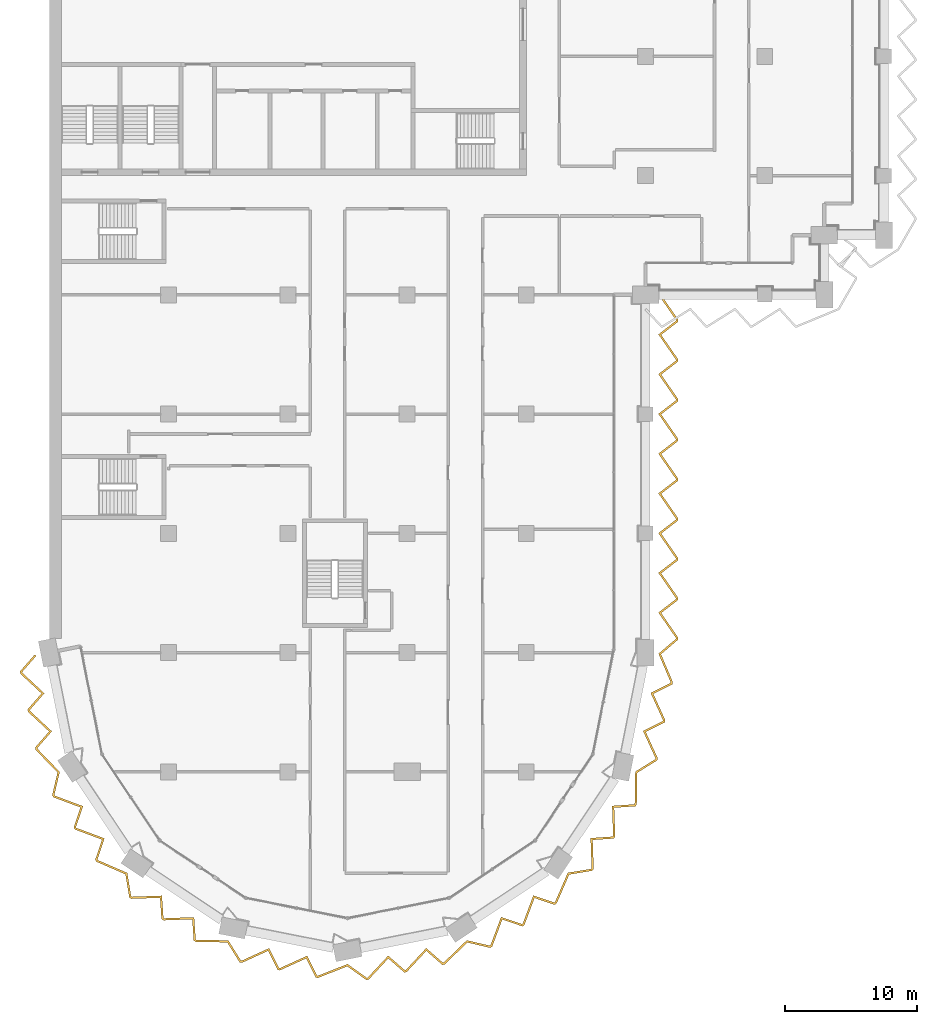
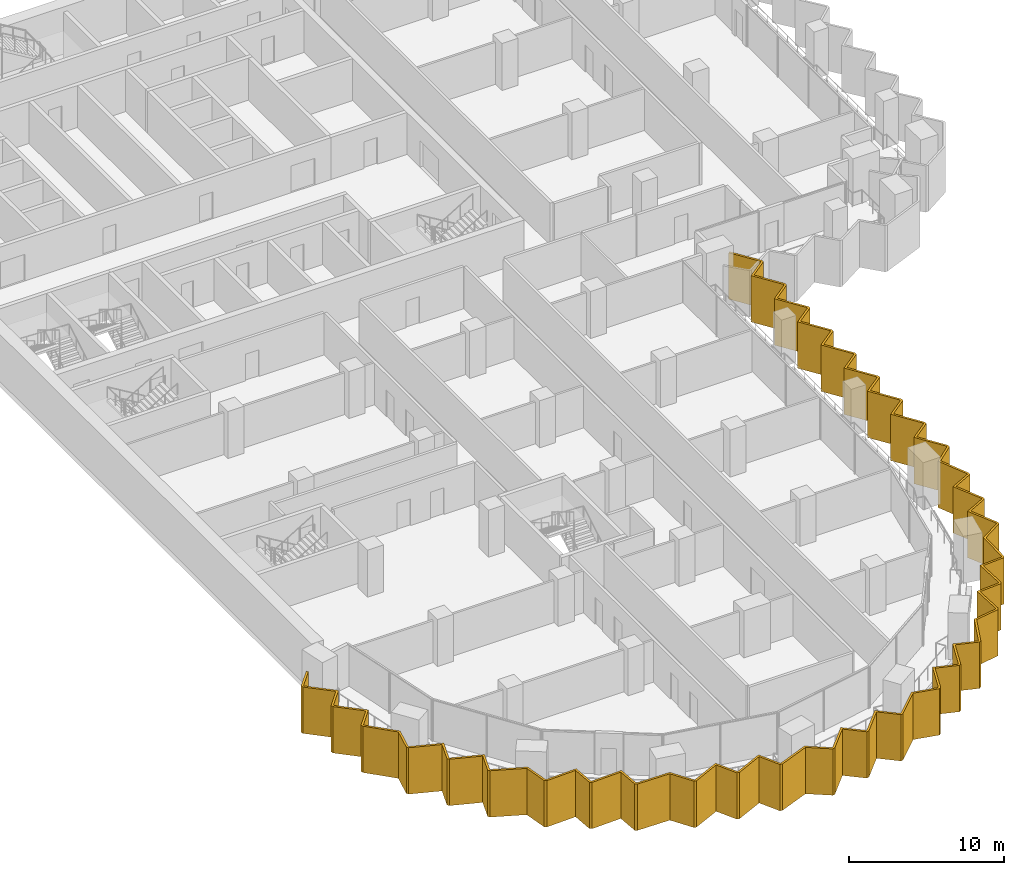
# One storey, part 19 of 23: 1 shading device.
"""IFC4 building model written with IfcOpenShell, lengths in metres."""

from ifc_helpers import new_model, si_unit, direction, frame, origin, place, context, subcontext, project, spatial, polyline, outline, extrude, material, layer, layer_set, type_object, element, save


model = new_model("IFC4")

# Units and contexts
model_context = context("Model", 3, precision=1e-05, world=origin(), true_north=direction((0.0, 1.0)))
body_context = subcontext(model_context, "Body", "Model", "MODEL_VIEW")
ifc_project = project(units=[si_unit("LENGTHUNIT", "METRE"), si_unit("AREAUNIT", "SQUARE_METRE"), si_unit("VOLUMEUNIT", "CUBIC_METRE"), si_unit("PLANEANGLEUNIT", "RADIAN"), si_unit("MASSUNIT", "GRAM", prefix="KILO")], contexts=[model_context])

# Site, building, storey
site_placement = place(None, origin())
site = spatial("IfcSite", under=ifc_project, at=site_placement, CompositionType="ELEMENT")
building_placement = place(site_placement, origin())
building = spatial("IfcBuilding", under=site, at=building_placement, Name="Hunhe Ridgeline Campus", CompositionType="ELEMENT")
storey_placement = place(building_placement, frame((0.0, 0.0, 144.89990234375)))
storey = spatial("IfcBuildingStorey", under=building, at=storey_placement, Name="L36", CompositionType="ELEMENT", Elevation=144.89990234375)

# Shading device
ifc_material = material(Name="Concrete C50", Category="concrete")
ifc_layer = layer(ifc_material, 0.14990234375)
ifc_layer_set = layer_set([ifc_layer], Name="Sawtooth concrete fin 150 Concrete C50")
shading_device_type = type_object("IfcShadingDeviceType", Name="Sawtooth concrete fin 150 Concrete C50", PredefinedType="USERDEFINED", material=ifc_layer_set)
shading_device_placement = place(storey_placement, frame((0.0, 0.0, -0.949951171875)))
element("IfcShadingDevice", 1, at=shading_device_placement, inside=storey, type_object=shading_device_type, Name="Concrete fin screen 1", ObjectType="FIN", PredefinedType="USERDEFINED", context=body_context, shape_type="SweptSolid", body=[
    extrude(outline(polyline([(-0.997802734375, 26.740966796875), (-1.11083984375, 26.839599609375), (-2.214599609375, 25.575439453125), (-2.17919921875, 25.397705078125), (-0.587646484375, 23.914794921875), (-1.643798828125, 22.705322265625), (-1.6083984375, 22.527587890625), (-0.016845703125, 21.044677734375), (-1.07275390625, 19.835205078125), (-1.037841796875, 19.65966796875), (0.61767578125, 17.947509765625), (0.214111328125, 16.222412109375), (0.3125, 16.075439453125), (2.350341796875, 15.314453125), (1.837646484375, 13.792724609375), (1.938232421875, 13.642333984375), (3.976318359375, 12.881103515625), (3.46337890625, 11.359619140625), (3.562744140625, 11.2109375), (5.747802734375, 10.262451171875), (6.03515625, 8.514404296875), (6.18212890625, 8.416259765625), (8.356201171875, 8.492919921875), (8.464599609375, 6.890869140625), (8.615234375, 6.790283203125), (10.789306640625, 6.8671875), (10.897705078125, 5.26513671875), (11.046630859375, 5.165771484375), (13.427978515625, 5.125732421875), (14.362548828125, 3.62060546875), (14.535888671875, 3.586181640625), (16.51513671875, 4.489013671875), (17.228271484375, 3.050537109375), (17.406005859375, 3.015380859375), (19.38525390625, 3.918212890625), (20.0986328125, 2.479736328125), (20.27392578125, 2.44482421875), (22.489501953125, 3.319091796875), (23.928955078125, 2.2861328125), (24.102294921875, 2.32080078125), (25.585205078125, 3.912353515625), (26.794677734375, 2.856201171875), (26.972412109375, 2.8916015625), (28.455322265625, 4.483154296875), (29.664794921875, 3.42724609375), (29.84033203125, 3.462158203125), (31.552490234375, 5.11767578125), (33.277587890625, 4.714111328125), (33.424560546875, 4.8125), (34.185546875, 6.850341796875), (35.707275390625, 6.337646484375), (35.857666015625, 6.438232421875), (36.618896484375, 8.476318359375), (38.140380859375, 7.96337890625), (38.2890625, 8.062744140625), (39.237548828125, 10.247802734375), (40.985595703125, 10.53515625), (41.083740234375, 10.68212890625), (41.007080078125, 12.856201171875), (42.609130859375, 12.964599609375), (42.709716796875, 13.115234375), (42.6328125, 15.289306640625), (44.23486328125, 15.397705078125), (44.334228515625, 15.546630859375), (44.374267578125, 17.927978515625), (45.87939453125, 18.862548828125), (45.913818359375, 19.035888671875), (45.010986328125, 21.01513671875), (46.449462890625, 21.728271484375), (46.484619140625, 21.906005859375), (45.581787109375, 23.88525390625), (47.020263671875, 24.5986328125), (47.055419921875, 24.775146484375), (46.16552734375, 26.872802734375), (47.449951171875, 27.967529296875), (47.449951171875, 28.1455078125), (46.17724609375, 29.984130859375), (47.449951171875, 30.965087890625), (47.449951171875, 31.1455078125), (46.17724609375, 32.984130859375), (47.449951171875, 33.965087890625), (47.449951171875, 34.1455078125), (46.17724609375, 35.984130859375), (47.449951171875, 36.965087890625), (47.449951171875, 37.1455078125), (46.17724609375, 38.984130859375), (47.449951171875, 39.965087890625), (47.449951171875, 40.1455078125), (46.17724609375, 41.984130859375), (47.449951171875, 42.965087890625), (47.449951171875, 43.1455078125), (46.17724609375, 44.984130859375), (47.449951171875, 45.965087890625), (47.449951171875, 46.1455078125), (46.17724609375, 47.984130859375), (47.449951171875, 48.965087890625), (47.449951171875, 49.1455078125), (46.17724609375, 50.984130859375), (47.449951171875, 51.965087890625), (47.449951171875, 52.1455078125), (46.13671875, 54.042724609375), (46.013427734375, 53.957275390625), (47.300048828125, 52.0986328125), (47.300048828125, 52.038818359375), (45.97265625, 51.015869140625), (47.300048828125, 49.0986328125), (47.300048828125, 49.038818359375), (45.97265625, 48.015869140625), (47.300048828125, 46.0986328125), (47.300048828125, 46.038818359375), (45.97265625, 45.015869140625), (47.300048828125, 43.0986328125), (47.300048828125, 43.038818359375), (45.97265625, 42.015869140625), (47.300048828125, 40.0986328125), (47.300048828125, 40.038818359375), (45.97265625, 39.015869140625), (47.300048828125, 37.0986328125), (47.300048828125, 37.038818359375), (45.97265625, 36.015869140625), (47.300048828125, 34.0986328125), (47.300048828125, 34.038818359375), (45.97265625, 33.015869140625), (47.300048828125, 31.0986328125), (47.300048828125, 31.038818359375), (45.97265625, 30.015869140625), (47.300048828125, 28.0986328125), (47.300048828125, 28.03662109375), (45.984375, 26.91552734375), (46.8994140625, 24.759033203125), (46.8876953125, 24.7001953125), (45.385009765625, 23.955078125), (46.328125, 21.8876953125), (46.316650390625, 21.830078125), (44.814208984375, 21.0849609375), (45.75732421875, 19.017578125), (45.744873046875, 18.95556640625), (44.2255859375, 18.01220703125), (44.18505859375, 15.59326171875), (44.151123046875, 15.54248046875), (42.477783203125, 15.42919921875), (42.55810546875, 13.158203125), (42.525390625, 13.109375), (40.85205078125, 12.995849609375), (40.93212890625, 10.72509765625), (40.89697265625, 10.672607421875), (39.13232421875, 10.38232421875), (38.169189453125, 8.1630859375), (38.118408203125, 8.129150390625), (36.529052734375, 8.664794921875), (35.734130859375, 6.5361328125), (35.685302734375, 6.50341796875), (34.095947265625, 7.038818359375), (33.301025390625, 4.91015625), (33.24853515625, 4.875), (31.507080078125, 5.282470703125), (29.767822265625, 3.6005859375), (29.7080078125, 3.588623046875), (28.444580078125, 4.691650390625), (26.8955078125, 3.029296875), (26.837890625, 3.017822265625), (25.574462890625, 4.120849609375), (24.025390625, 2.458251953125), (23.96337890625, 2.446044921875), (22.510498046875, 3.48876953125), (20.260009765625, 2.6005859375), (20.2001953125, 2.6123046875), (19.455078125, 4.114990234375), (17.3876953125, 3.171875), (17.330078125, 3.183349609375), (16.5849609375, 4.685791015625), (14.517578125, 3.74267578125), (14.45556640625, 3.755126953125), (13.51220703125, 5.2744140625), (11.09326171875, 5.31494140625), (11.04248046875, 5.348876953125), (10.92919921875, 7.022216796875), (8.658203125, 6.94189453125), (8.609375, 6.974609375), (8.495849609375, 8.64794921875), (6.22509765625, 8.56787109375), (6.172607421875, 8.60302734375), (5.88232421875, 10.36767578125), (3.6630859375, 11.330810546875), (3.629150390625, 11.381591796875), (4.164794921875, 12.970947265625), (2.0361328125, 13.765869140625), (2.00341796875, 13.814697265625), (2.538818359375, 15.404052734375), (0.41015625, 16.198974609375), (0.375, 16.25146484375), (0.782470703125, 17.992919921875), (-0.8994140625, 19.732177734375), (-0.911376953125, 19.7919921875), (0.191650390625, 21.055419921875), (-1.470703125, 22.6044921875), (-1.482177734375, 22.662109375), (-0.379150390625, 23.925537109375), (-2.041748046875, 25.474609375), (-2.05322265625, 25.5322265625), (-0.997802734375, 26.740966796875)])), origin(), (0.0, 0.0, 1.0), 3.650146484375),
])

save(model, "model.ifc")
